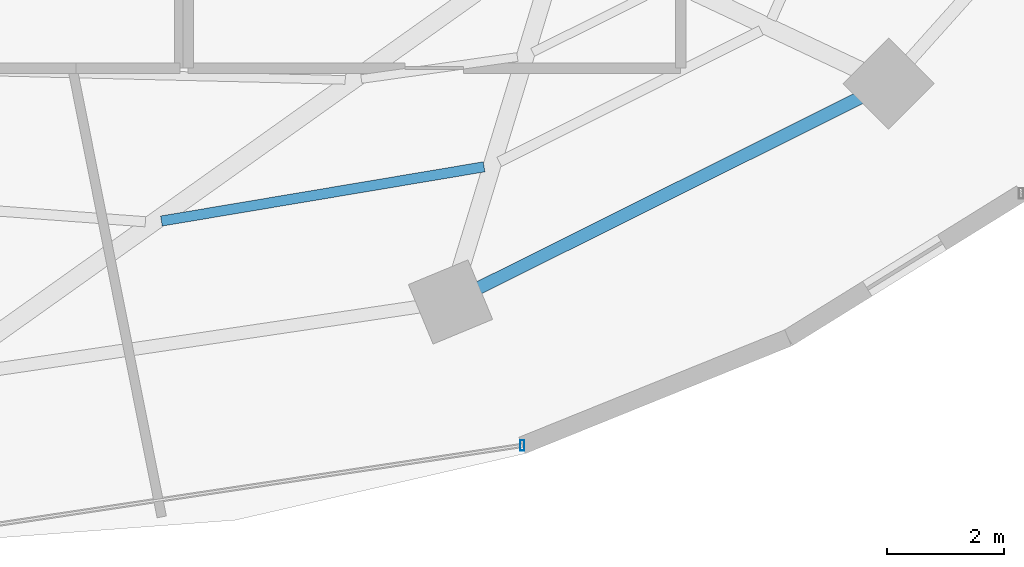
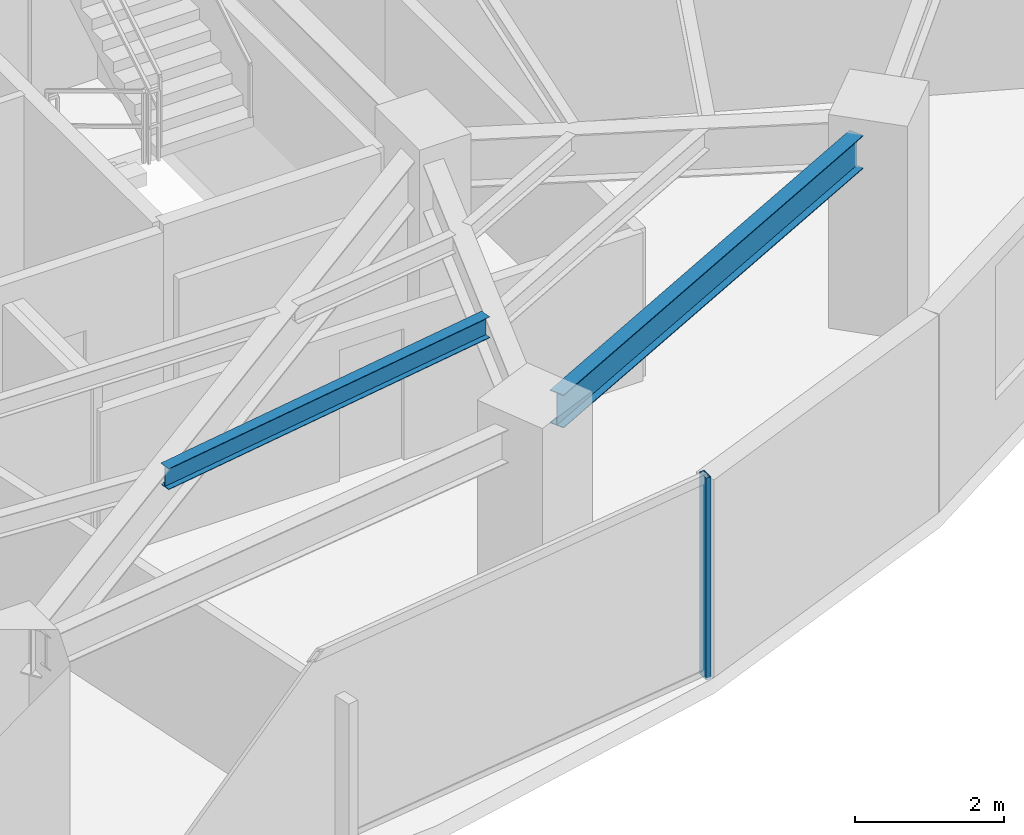
# One storey, part 11 of 29: 2 beams, 1 member, 1 element without a shape of its own.
"""IFC4 building model written with IfcOpenShell, lengths in metres."""

from ifc_helpers import new_model, si_unit, direction, frame, origin, origin_2d, place, context, subcontext, project, spatial, hollow_rectangle, i_section, extrude, material, material_profile, profile_set, type_object, element, aggregate, save


model = new_model("IFC4")

# Units and contexts
model_context = context("Model", 3, precision=1e-05, world=origin(), true_north=direction((0.0, 1.0)))
body_context = subcontext(model_context, "Body", "Model", "MODEL_VIEW")
ifc_project = project(units=[si_unit("LENGTHUNIT", "METRE"), si_unit("AREAUNIT", "SQUARE_METRE"), si_unit("VOLUMEUNIT", "CUBIC_METRE"), si_unit("PLANEANGLEUNIT", "RADIAN"), si_unit("MASSUNIT", "GRAM", prefix="KILO")], contexts=[model_context])

# Site, building, storey
site_placement = place(None, origin())
site = spatial("IfcSite", under=ifc_project, at=site_placement, CompositionType="ELEMENT")
building_placement = place(site_placement, origin())
building = spatial("IfcBuilding", under=site, at=building_placement, Name="Vorneva Point Tower", CompositionType="ELEMENT")
storey_placement = place(building_placement, frame((0.0, 0.0, 82.300048828125)))
storey = spatial("IfcBuildingStorey", under=building, at=storey_placement, Name="L21", CompositionType="ELEMENT", Elevation=82.300048828125)

# Beams
ifc_material_1 = material(Name="Steel S355", Category="steel")
ifc_material_profile_1 = material_profile(ifc_material_1, i_section(OverallWidth=0.174072265625, OverallDepth=0.345947265625, WebThickness=0.006103515625, FlangeThickness=0.009033203125, at=origin_2d()), Name="35B1")
ifc_profile_set_1 = profile_set([ifc_material_profile_1], Name="Steel S355")
beam_type_1 = type_object("IfcBeamType", Name="BM-SEC-35B1", PredefinedType="BEAM", material=ifc_profile_set_1)
beam_1_placement = place(storey_placement, frame((41.8857421875, 11.4912109375, 3.06689453125), z_axis=(0.986181637233, 0.165667674532, 0.0), x_axis=(-0.165667674532, 0.986181637233, 0.0)))
element("IfcBeam", 1, at=beam_1_placement, inside=storey, type_object=beam_type_1, Name="L21 Secondary Floor Beam 1.13", PredefinedType="BEAM", context=body_context, shape_type="SweptSolid", body=[
    extrude(i_section(OverallWidth=0.174072265625, OverallDepth=0.345947265625, WebThickness=0.006103515625, FlangeThickness=0.009033203125, at=origin_2d()), origin(), (0.0, 0.0, 1.0), 5.585205078125),
])
ifc_material_profile_2 = material_profile(ifc_material_1, i_section(OverallWidth=0.219970703125, OverallDepth=0.54296875, WebThickness=0.009521484375, FlangeThickness=0.013427734375, at=origin_2d()), Name="55B1")
ifc_profile_set_2 = profile_set([ifc_material_profile_2], Name="Steel S355")
beam_type_2 = type_object("IfcBeamType", Name="BM-SPN-55B1", PredefinedType="SPANDREL", material=ifc_profile_set_2)
beam_2_placement = place(storey_placement, frame((47.2998046875, 10.347900390625, 2.968505859375), z_axis=(0.894915882304, 0.446234874926, 0.0), x_axis=(-0.446234874926, 0.894915882304, 0.0)))
element("IfcBeam", 2, at=beam_2_placement, inside=storey, type_object=beam_type_2, Name="L21 Perimeter Spandrel Ring Beam 14", PredefinedType="SPANDREL", context=body_context, shape_type="SweptSolid", body=[
    extrude(i_section(OverallWidth=0.219970703125, OverallDepth=0.54296875, WebThickness=0.009521484375, FlangeThickness=0.013427734375, at=origin_2d()), origin(), (0.0, 0.0, 1.0), 7.285888671875),
])

# Curtain wall, member
ifc_material_2 = material(Name="Pale anodised aluminium", Category="aluminium")
curtain_wall_type = type_object("IfcCurtainWallType", Name="CW-HTL-SYS", PredefinedType="NOTDEFINED", material=ifc_material_2)
curtain_wall_placement = place(storey_placement, origin())
curtain_wall = element("IfcCurtainWall", 3, at=curtain_wall_placement, inside=storey, type_object=curtain_wall_type, Name="L21 Unitised Curtain Wall CW-L21-R03", PredefinedType="NOTDEFINED")
ifc_material_profile_3 = material_profile(ifc_material_2, hollow_rectangle(XDim=0.074951171875, YDim=0.179931640625, WallThickness=0.00390625, at=origin_2d()), Name="AL-MUL 180x75x4")
ifc_profile_set_3 = profile_set([ifc_material_profile_3], Name="Pale anodised aluminium")
member_type = type_object("IfcMemberType", Name="CW-MUL-180", PredefinedType="MULLION", material=ifc_profile_set_3)
member_placement = place(storey_placement, frame((48.04541015625, 7.660888671875, -0.0400390625), z_axis=(0.0, 0.0, 1.0), x_axis=(1.0, 0.0, 0.0)))
member = element("IfcMember", 4, at=member_placement, type_object=member_type, Name="CW-L21-R03 Mullion 03", PredefinedType="MULLION", context=body_context, shape_type="SweptSolid", body=[
    extrude(hollow_rectangle(XDim=0.074951171875, YDim=0.179931640625, WallThickness=0.00390625, at=origin_2d()), origin(), (0.0, 0.0, 1.0), 3.31005859375),
])
aggregate(curtain_wall, [member])

save(model, "model.ifc")
